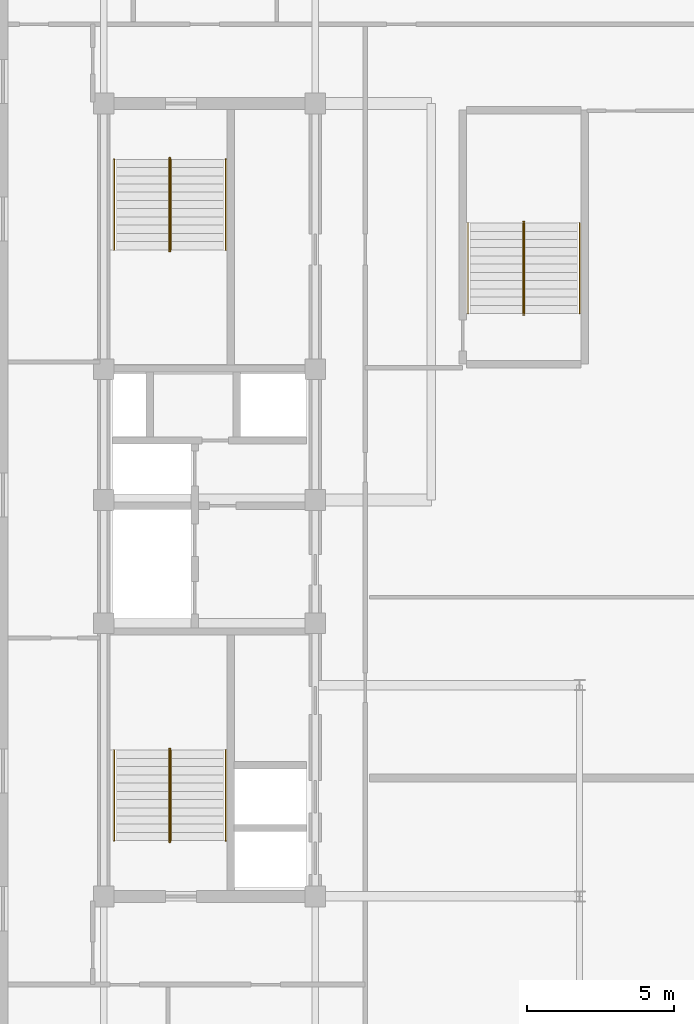
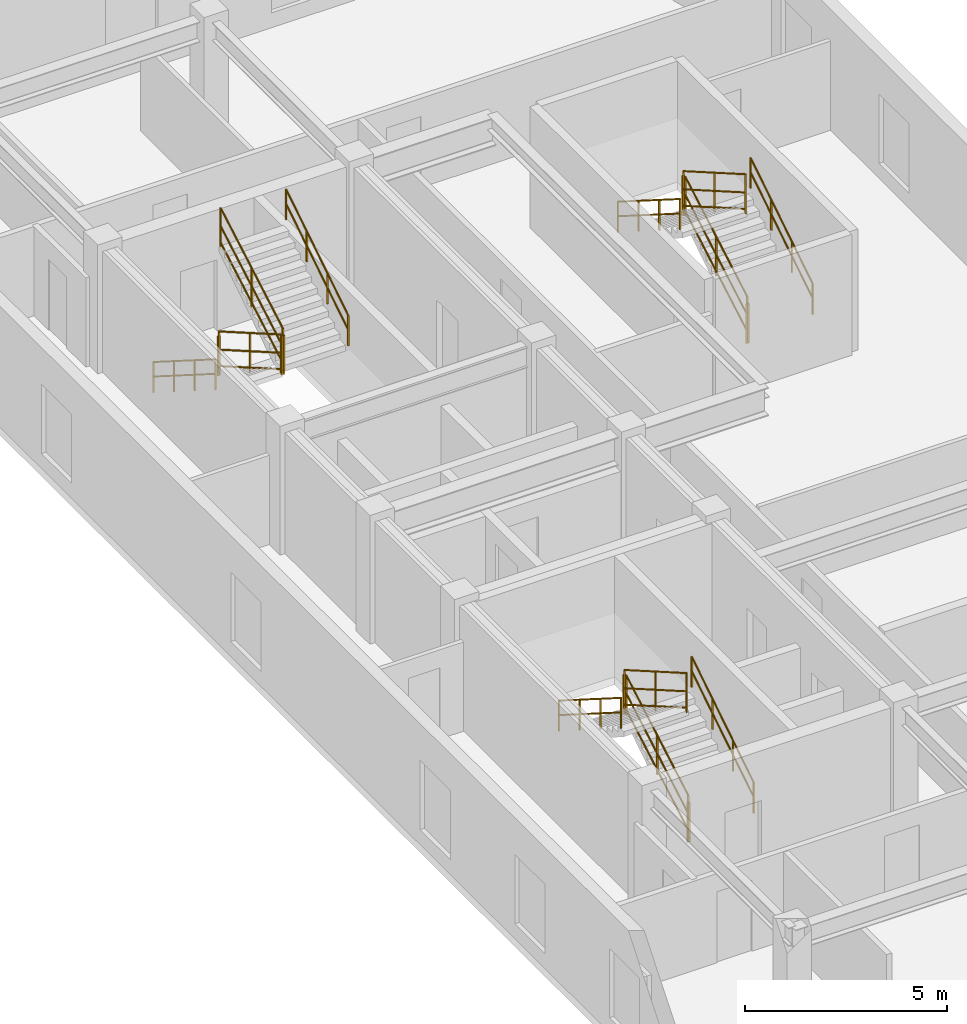
# One storey, part 5 of 5: 18 railings.
"""IFC4 building model written with IfcOpenShell, lengths in metres."""

from ifc_helpers import new_model, entity, si_unit, converted_unit, direction, frame, origin_with_axes, origin_2d_with_axis, place, context, subcontext, project, spatial, rectangle, circle, extrude, material, type_object, element, save


model = new_model("IFC4")

# Units and contexts
model_context = context("Model", 3, precision=1e-05, world=origin_with_axes(), true_north=direction((0.0, 1.0)))
body_context = subcontext(model_context, "Body", "Model", "MODEL_VIEW")
ifc_project = project(units=[si_unit("LENGTHUNIT", "METRE"), si_unit("AREAUNIT", "SQUARE_METRE"), si_unit("VOLUMEUNIT", "CUBIC_METRE"), converted_unit("PLANEANGLEUNIT", "DEGREE", entity("IfcPlaneAngleMeasure", 0.017453292519943295), si_unit("PLANEANGLEUNIT", "RADIAN"), dimensions=[0, 0, 0, 0, 0, 0, 0]), si_unit("MASSUNIT", "GRAM", prefix="KILO"), si_unit("THERMODYNAMICTEMPERATUREUNIT", "KELVIN")], contexts=[model_context])

# Site, building, storey
site_placement = place(None, origin_with_axes())
site = spatial("IfcSite", under=ifc_project, at=site_placement, CompositionType="ELEMENT")
building_placement = place(site_placement, origin_with_axes())
building = spatial("IfcBuilding", under=site, at=building_placement, Name="Varnlund Millrace Tower", CompositionType="ELEMENT")
storey_placement = place(building_placement, frame((0.0, 0.0, 291.9), z_axis=(0.0, 0.0, 1.0), x_axis=(1.0, 0.0, 0.0)))
storey = spatial("IfcBuildingStorey", under=building, at=storey_placement, Name="L72", CompositionType="ELEMENT", Elevation=291.9)

# Railings
ifc_material_1 = material(Name="Painted steel stair well balustrade guard", Category="steel")
railing_type_1 = type_object("IfcRailingType", Name="Type-StairGuard-1150", PredefinedType="GUARDRAIL", material=ifc_material_1)
railing_1_placement = place(storey_placement, frame((0.0, 0.0, -291.9), z_axis=(0.0, 0.0, 1.0), x_axis=(1.0, 0.0, 0.0)))
element("IfcRailing", 1, at=railing_1_placement, inside=storey, type_object=railing_type_1, Name="Type-StairGuard-1150", PredefinedType="GUARDRAIL", context=body_context, shape_type="SweptSolid", body=[
    extrude(circle(Radius=0.024, at=origin_2d_with_axis()), frame((13.675, 12.7, 293.227273), z_axis=(0.0, 0.866696, 0.498836), x_axis=(-1.0, 0.0, 0.0)), (0.0, 0.0, 1.0), 3.553725),
    extrude(circle(Radius=0.024, at=origin_2d_with_axis()), frame((13.675, 12.7, 292.177273), z_axis=(0.0, 0.866696, 0.498836), x_axis=(-1.0, 0.0, 0.0)), (0.0, 0.0, 1.0), 3.553725),
    extrude(circle(Radius=0.024, at=origin_2d_with_axis()), frame((13.675, 12.7, 292.675273), z_axis=(0.0, 0.866696, 0.498836), x_axis=(-1.0, 0.0, 0.0)), (0.0, 0.0, 1.0), 3.553725),
    extrude(rectangle(XDim=0.04, YDim=0.04, at=origin_2d_with_axis()), frame((13.675, 12.7, 292.037273), z_axis=(0.0, 0.0, 1.0), x_axis=(1.0, 0.0, 0.0)), (0.0, 0.0, 1.0), 1.19),
    extrude(rectangle(XDim=0.04, YDim=0.04, at=origin_2d_with_axis()), frame((13.675, 14.24, 292.923636), z_axis=(0.0, 0.0, 1.0), x_axis=(1.0, 0.0, 0.0)), (0.0, 0.0, 1.0), 1.19),
    extrude(rectangle(XDim=0.04, YDim=0.04, at=origin_2d_with_axis()), frame((13.675, 15.78, 293.81), z_axis=(0.0, 0.0, 1.0), x_axis=(1.0, 0.0, 0.0)), (0.0, 0.0, 1.0), 1.19),
])
railing_2_placement = place(storey_placement, frame((0.0, 0.0, -291.9), z_axis=(0.0, 0.0, 1.0), x_axis=(1.0, 0.0, 0.0)))
element("IfcRailing", 2, at=railing_2_placement, inside=storey, type_object=railing_type_1, Name="Type-StairGuard-1150", PredefinedType="GUARDRAIL", context=body_context, shape_type="SweptSolid", body=[
    extrude(circle(Radius=0.024, at=origin_2d_with_axis()), frame((13.625, 15.83, 295.0), z_axis=(1.0, 0.0, 0.0), x_axis=(0.0, 1.0, 0.0)), (0.0, 0.0, 1.0), 0.05),
    extrude(circle(Radius=0.024, at=origin_2d_with_axis()), frame((13.625, 15.83, 293.95), z_axis=(1.0, 0.0, 0.0), x_axis=(0.0, 1.0, 0.0)), (0.0, 0.0, 1.0), 0.05),
    extrude(circle(Radius=0.024, at=origin_2d_with_axis()), frame((13.625, 15.83, 294.448), z_axis=(1.0, 0.0, 0.0), x_axis=(0.0, 1.0, 0.0)), (0.0, 0.0, 1.0), 0.05),
    extrude(rectangle(XDim=0.04, YDim=0.04, at=origin_2d_with_axis()), frame((13.625, 15.83, 293.81), z_axis=(0.0, 0.0, 1.0), x_axis=(1.0, 0.0, 0.0)), (0.0, 0.0, 1.0), 1.19),
    extrude(rectangle(XDim=0.04, YDim=0.04, at=origin_2d_with_axis()), frame((13.675, 15.83, 293.81), z_axis=(0.0, 0.0, 1.0), x_axis=(1.0, 0.0, 0.0)), (0.0, 0.0, 1.0), 1.19),
])
railing_3_placement = place(storey_placement, frame((0.0, 0.0, -291.9), z_axis=(0.0, 0.0, 1.0), x_axis=(1.0, 0.0, 0.0)))
element("IfcRailing", 3, at=railing_3_placement, inside=storey, type_object=railing_type_1, Name="Type-StairGuard-1150", PredefinedType="GUARDRAIL", context=body_context, shape_type="SweptSolid", body=[
    extrude(circle(Radius=0.024, at=origin_2d_with_axis()), frame((13.625, 15.78, 295.177273), z_axis=(0.0, -0.866696, 0.498836), x_axis=(1.0, 0.0, 0.0)), (0.0, 0.0, 1.0), 3.553725),
    extrude(circle(Radius=0.024, at=origin_2d_with_axis()), frame((13.625, 15.78, 294.127273), z_axis=(0.0, -0.866696, 0.498836), x_axis=(1.0, 0.0, 0.0)), (0.0, 0.0, 1.0), 3.553725),
    extrude(circle(Radius=0.024, at=origin_2d_with_axis()), frame((13.625, 15.78, 294.625273), z_axis=(0.0, -0.866696, 0.498836), x_axis=(1.0, 0.0, 0.0)), (0.0, 0.0, 1.0), 3.553725),
    extrude(rectangle(XDim=0.04, YDim=0.04, at=origin_2d_with_axis()), frame((13.625, 15.78, 293.987273), z_axis=(0.0, 0.0, 1.0), x_axis=(1.0, 0.0, 0.0)), (0.0, 0.0, 1.0), 1.19),
    extrude(rectangle(XDim=0.04, YDim=0.04, at=origin_2d_with_axis()), frame((13.625, 14.24, 294.873636), z_axis=(0.0, 0.0, 1.0), x_axis=(1.0, 0.0, 0.0)), (0.0, 0.0, 1.0), 1.19),
    extrude(rectangle(XDim=0.04, YDim=0.04, at=origin_2d_with_axis()), frame((13.625, 12.7, 295.76), z_axis=(0.0, 0.0, 1.0), x_axis=(1.0, 0.0, 0.0)), (0.0, 0.0, 1.0), 1.19),
])
railing_4_placement = place(storey_placement, frame((0.0, 0.0, -291.9), z_axis=(0.0, 0.0, 1.0), x_axis=(1.0, 0.0, 0.0)))
element("IfcRailing", 4, at=railing_4_placement, inside=storey, type_object=railing_type_1, Name="Type-StairGuard-1150", PredefinedType="GUARDRAIL", context=body_context, shape_type="SweptSolid", body=[
    extrude(circle(Radius=0.024, at=origin_2d_with_axis()), frame((13.625, 12.65, 293.05), z_axis=(1.0, 0.0, 0.0), x_axis=(0.0, 1.0, 0.0)), (0.0, 0.0, 1.0), 0.05),
    extrude(circle(Radius=0.024, at=origin_2d_with_axis()), frame((13.625, 12.65, 292.0), z_axis=(1.0, 0.0, 0.0), x_axis=(0.0, 1.0, 0.0)), (0.0, 0.0, 1.0), 0.05),
    extrude(circle(Radius=0.024, at=origin_2d_with_axis()), frame((13.625, 12.65, 292.498), z_axis=(1.0, 0.0, 0.0), x_axis=(0.0, 1.0, 0.0)), (0.0, 0.0, 1.0), 0.05),
    extrude(rectangle(XDim=0.04, YDim=0.04, at=origin_2d_with_axis()), frame((13.625, 12.65, 291.86), z_axis=(0.0, 0.0, 1.0), x_axis=(1.0, 0.0, 0.0)), (0.0, 0.0, 1.0), 1.19),
    extrude(rectangle(XDim=0.04, YDim=0.04, at=origin_2d_with_axis()), frame((13.675, 12.65, 291.86), z_axis=(0.0, 0.0, 1.0), x_axis=(1.0, 0.0, 0.0)), (0.0, 0.0, 1.0), 1.19),
])
railing_5_placement = place(storey_placement, frame((0.0, 0.0, -291.9), z_axis=(0.0, 0.0, 1.0), x_axis=(1.0, 0.0, 0.0)))
element("IfcRailing", 5, at=railing_5_placement, inside=storey, type_object=railing_type_1, Name="Type-StairGuard-1150", PredefinedType="GUARDRAIL", context=body_context, shape_type="SweptSolid", body=[
    extrude(circle(Radius=0.024, at=origin_2d_with_axis()), frame((13.625, 35.9, 293.227273), z_axis=(0.0, -0.866696, 0.498836), x_axis=(1.0, 0.0, 0.0)), (0.0, 0.0, 1.0), 3.553725),
    extrude(circle(Radius=0.024, at=origin_2d_with_axis()), frame((13.625, 35.9, 292.177273), z_axis=(0.0, -0.866696, 0.498836), x_axis=(1.0, 0.0, 0.0)), (0.0, 0.0, 1.0), 3.553725),
    extrude(circle(Radius=0.024, at=origin_2d_with_axis()), frame((13.625, 35.9, 292.675273), z_axis=(0.0, -0.866696, 0.498836), x_axis=(1.0, 0.0, 0.0)), (0.0, 0.0, 1.0), 3.553725),
    extrude(rectangle(XDim=0.04, YDim=0.04, at=origin_2d_with_axis()), frame((13.625, 35.9, 292.037273), z_axis=(0.0, 0.0, 1.0), x_axis=(1.0, 0.0, 0.0)), (0.0, 0.0, 1.0), 1.19),
    extrude(rectangle(XDim=0.04, YDim=0.04, at=origin_2d_with_axis()), frame((13.625, 34.36, 292.923636), z_axis=(0.0, 0.0, 1.0), x_axis=(1.0, 0.0, 0.0)), (0.0, 0.0, 1.0), 1.19),
    extrude(rectangle(XDim=0.04, YDim=0.04, at=origin_2d_with_axis()), frame((13.625, 32.82, 293.81), z_axis=(0.0, 0.0, 1.0), x_axis=(1.0, 0.0, 0.0)), (0.0, 0.0, 1.0), 1.19),
])
railing_6_placement = place(storey_placement, frame((0.0, 0.0, -291.9), z_axis=(0.0, 0.0, 1.0), x_axis=(1.0, 0.0, 0.0)))
element("IfcRailing", 6, at=railing_6_placement, inside=storey, type_object=railing_type_1, Name="Type-StairGuard-1150", PredefinedType="GUARDRAIL", context=body_context, shape_type="SweptSolid", body=[
    extrude(circle(Radius=0.024, at=origin_2d_with_axis()), frame((13.675, 32.77, 295.0), z_axis=(-1.0, 0.0, 0.0), x_axis=(0.0, -1.0, 0.0)), (0.0, 0.0, 1.0), 0.05),
    extrude(circle(Radius=0.024, at=origin_2d_with_axis()), frame((13.675, 32.77, 293.95), z_axis=(-1.0, 0.0, 0.0), x_axis=(0.0, -1.0, 0.0)), (0.0, 0.0, 1.0), 0.05),
    extrude(circle(Radius=0.024, at=origin_2d_with_axis()), frame((13.675, 32.77, 294.448), z_axis=(-1.0, 0.0, 0.0), x_axis=(0.0, -1.0, 0.0)), (0.0, 0.0, 1.0), 0.05),
    extrude(rectangle(XDim=0.04, YDim=0.04, at=origin_2d_with_axis()), frame((13.675, 32.77, 293.81), z_axis=(0.0, 0.0, 1.0), x_axis=(1.0, 0.0, 0.0)), (0.0, 0.0, 1.0), 1.19),
    extrude(rectangle(XDim=0.04, YDim=0.04, at=origin_2d_with_axis()), frame((13.625, 32.77, 293.81), z_axis=(0.0, 0.0, 1.0), x_axis=(1.0, 0.0, 0.0)), (0.0, 0.0, 1.0), 1.19),
])
railing_7_placement = place(storey_placement, frame((0.0, 0.0, -291.9), z_axis=(0.0, 0.0, 1.0), x_axis=(1.0, 0.0, 0.0)))
element("IfcRailing", 7, at=railing_7_placement, inside=storey, type_object=railing_type_1, Name="Type-StairGuard-1150", PredefinedType="GUARDRAIL", context=body_context, shape_type="SweptSolid", body=[
    extrude(circle(Radius=0.024, at=origin_2d_with_axis()), frame((13.675, 32.82, 295.177273), z_axis=(0.0, 0.866696, 0.498836), x_axis=(-1.0, 0.0, 0.0)), (0.0, 0.0, 1.0), 3.553725),
    extrude(circle(Radius=0.024, at=origin_2d_with_axis()), frame((13.675, 32.82, 294.127273), z_axis=(0.0, 0.866696, 0.498836), x_axis=(-1.0, 0.0, 0.0)), (0.0, 0.0, 1.0), 3.553725),
    extrude(circle(Radius=0.024, at=origin_2d_with_axis()), frame((13.675, 32.82, 294.625273), z_axis=(0.0, 0.866696, 0.498836), x_axis=(-1.0, 0.0, 0.0)), (0.0, 0.0, 1.0), 3.553725),
    extrude(rectangle(XDim=0.04, YDim=0.04, at=origin_2d_with_axis()), frame((13.675, 32.82, 293.987273), z_axis=(0.0, 0.0, 1.0), x_axis=(1.0, 0.0, 0.0)), (0.0, 0.0, 1.0), 1.19),
    extrude(rectangle(XDim=0.04, YDim=0.04, at=origin_2d_with_axis()), frame((13.675, 34.36, 294.873636), z_axis=(0.0, 0.0, 1.0), x_axis=(1.0, 0.0, 0.0)), (0.0, 0.0, 1.0), 1.19),
    extrude(rectangle(XDim=0.04, YDim=0.04, at=origin_2d_with_axis()), frame((13.675, 35.9, 295.76), z_axis=(0.0, 0.0, 1.0), x_axis=(1.0, 0.0, 0.0)), (0.0, 0.0, 1.0), 1.19),
])
railing_8_placement = place(storey_placement, frame((0.0, 0.0, -291.9), z_axis=(0.0, 0.0, 1.0), x_axis=(1.0, 0.0, 0.0)))
element("IfcRailing", 8, at=railing_8_placement, inside=storey, type_object=railing_type_1, Name="Type-StairGuard-1150", PredefinedType="GUARDRAIL", context=body_context, shape_type="SweptSolid", body=[
    extrude(circle(Radius=0.024, at=origin_2d_with_axis()), frame((13.675, 35.95, 293.05), z_axis=(-1.0, 0.0, 0.0), x_axis=(0.0, -1.0, 0.0)), (0.0, 0.0, 1.0), 0.05),
    extrude(circle(Radius=0.024, at=origin_2d_with_axis()), frame((13.675, 35.95, 292.0), z_axis=(-1.0, 0.0, 0.0), x_axis=(0.0, -1.0, 0.0)), (0.0, 0.0, 1.0), 0.05),
    extrude(circle(Radius=0.024, at=origin_2d_with_axis()), frame((13.675, 35.95, 292.498), z_axis=(-1.0, 0.0, 0.0), x_axis=(0.0, -1.0, 0.0)), (0.0, 0.0, 1.0), 0.05),
    extrude(rectangle(XDim=0.04, YDim=0.04, at=origin_2d_with_axis()), frame((13.675, 35.95, 291.86), z_axis=(0.0, 0.0, 1.0), x_axis=(1.0, 0.0, 0.0)), (0.0, 0.0, 1.0), 1.19),
    extrude(rectangle(XDim=0.04, YDim=0.04, at=origin_2d_with_axis()), frame((13.625, 35.95, 291.86), z_axis=(0.0, 0.0, 1.0), x_axis=(1.0, 0.0, 0.0)), (0.0, 0.0, 1.0), 1.19),
])
railing_9_placement = place(storey_placement, frame((0.0, 0.0, -291.9), z_axis=(0.0, 0.0, 1.0), x_axis=(1.0, 0.0, 0.0)))
element("IfcRailing", 9, at=railing_9_placement, inside=storey, type_object=railing_type_1, Name="Type-StairGuard-1150", PredefinedType="GUARDRAIL", context=body_context, shape_type="SweptSolid", body=[
    extrude(circle(Radius=0.024, at=origin_2d_with_axis()), frame((25.725, 30.65, 293.227273), z_axis=(0.0, 0.866696, 0.498836), x_axis=(-1.0, 0.0, 0.0)), (0.0, 0.0, 1.0), 3.553725),
    extrude(circle(Radius=0.024, at=origin_2d_with_axis()), frame((25.725, 30.65, 292.177273), z_axis=(0.0, 0.866696, 0.498836), x_axis=(-1.0, 0.0, 0.0)), (0.0, 0.0, 1.0), 3.553725),
    extrude(circle(Radius=0.024, at=origin_2d_with_axis()), frame((25.725, 30.65, 292.675273), z_axis=(0.0, 0.866696, 0.498836), x_axis=(-1.0, 0.0, 0.0)), (0.0, 0.0, 1.0), 3.553725),
    extrude(rectangle(XDim=0.04, YDim=0.04, at=origin_2d_with_axis()), frame((25.725, 30.65, 292.037273), z_axis=(0.0, 0.0, 1.0), x_axis=(1.0, 0.0, 0.0)), (0.0, 0.0, 1.0), 1.19),
    extrude(rectangle(XDim=0.04, YDim=0.04, at=origin_2d_with_axis()), frame((25.725, 32.19, 292.923636), z_axis=(0.0, 0.0, 1.0), x_axis=(1.0, 0.0, 0.0)), (0.0, 0.0, 1.0), 1.19),
    extrude(rectangle(XDim=0.04, YDim=0.04, at=origin_2d_with_axis()), frame((25.725, 33.73, 293.81), z_axis=(0.0, 0.0, 1.0), x_axis=(1.0, 0.0, 0.0)), (0.0, 0.0, 1.0), 1.19),
])
railing_10_placement = place(storey_placement, frame((0.0, 0.0, -291.9), z_axis=(0.0, 0.0, 1.0), x_axis=(1.0, 0.0, 0.0)))
element("IfcRailing", 10, at=railing_10_placement, inside=storey, type_object=railing_type_1, Name="Type-StairGuard-1150", PredefinedType="GUARDRAIL", context=body_context, shape_type="SweptSolid", body=[
    extrude(circle(Radius=0.024, at=origin_2d_with_axis()), frame((25.675, 33.78, 295.0), z_axis=(1.0, 0.0, 0.0), x_axis=(0.0, 1.0, 0.0)), (0.0, 0.0, 1.0), 0.05),
    extrude(circle(Radius=0.024, at=origin_2d_with_axis()), frame((25.675, 33.78, 293.95), z_axis=(1.0, 0.0, 0.0), x_axis=(0.0, 1.0, 0.0)), (0.0, 0.0, 1.0), 0.05),
    extrude(circle(Radius=0.024, at=origin_2d_with_axis()), frame((25.675, 33.78, 294.448), z_axis=(1.0, 0.0, 0.0), x_axis=(0.0, 1.0, 0.0)), (0.0, 0.0, 1.0), 0.05),
    extrude(rectangle(XDim=0.04, YDim=0.04, at=origin_2d_with_axis()), frame((25.675, 33.78, 293.81), z_axis=(0.0, 0.0, 1.0), x_axis=(1.0, 0.0, 0.0)), (0.0, 0.0, 1.0), 1.19),
    extrude(rectangle(XDim=0.04, YDim=0.04, at=origin_2d_with_axis()), frame((25.725, 33.78, 293.81), z_axis=(0.0, 0.0, 1.0), x_axis=(1.0, 0.0, 0.0)), (0.0, 0.0, 1.0), 1.19),
])
railing_11_placement = place(storey_placement, frame((0.0, 0.0, -291.9), z_axis=(0.0, 0.0, 1.0), x_axis=(1.0, 0.0, 0.0)))
element("IfcRailing", 11, at=railing_11_placement, inside=storey, type_object=railing_type_1, Name="Type-StairGuard-1150", PredefinedType="GUARDRAIL", context=body_context, shape_type="SweptSolid", body=[
    extrude(circle(Radius=0.024, at=origin_2d_with_axis()), frame((25.675, 33.73, 295.177273), z_axis=(0.0, -0.866696, 0.498836), x_axis=(1.0, 0.0, 0.0)), (0.0, 0.0, 1.0), 3.553725),
    extrude(circle(Radius=0.024, at=origin_2d_with_axis()), frame((25.675, 33.73, 294.127273), z_axis=(0.0, -0.866696, 0.498836), x_axis=(1.0, 0.0, 0.0)), (0.0, 0.0, 1.0), 3.553725),
    extrude(circle(Radius=0.024, at=origin_2d_with_axis()), frame((25.675, 33.73, 294.625273), z_axis=(0.0, -0.866696, 0.498836), x_axis=(1.0, 0.0, 0.0)), (0.0, 0.0, 1.0), 3.553725),
    extrude(rectangle(XDim=0.04, YDim=0.04, at=origin_2d_with_axis()), frame((25.675, 33.73, 293.987273), z_axis=(0.0, 0.0, 1.0), x_axis=(1.0, 0.0, 0.0)), (0.0, 0.0, 1.0), 1.19),
    extrude(rectangle(XDim=0.04, YDim=0.04, at=origin_2d_with_axis()), frame((25.675, 32.19, 294.873636), z_axis=(0.0, 0.0, 1.0), x_axis=(1.0, 0.0, 0.0)), (0.0, 0.0, 1.0), 1.19),
    extrude(rectangle(XDim=0.04, YDim=0.04, at=origin_2d_with_axis()), frame((25.675, 30.65, 295.76), z_axis=(0.0, 0.0, 1.0), x_axis=(1.0, 0.0, 0.0)), (0.0, 0.0, 1.0), 1.19),
])
railing_12_placement = place(storey_placement, frame((0.0, 0.0, -291.9), z_axis=(0.0, 0.0, 1.0), x_axis=(1.0, 0.0, 0.0)))
element("IfcRailing", 12, at=railing_12_placement, inside=storey, type_object=railing_type_1, Name="Type-StairGuard-1150", PredefinedType="GUARDRAIL", context=body_context, shape_type="SweptSolid", body=[
    extrude(circle(Radius=0.024, at=origin_2d_with_axis()), frame((25.675, 30.6, 293.05), z_axis=(1.0, 0.0, 0.0), x_axis=(0.0, 1.0, 0.0)), (0.0, 0.0, 1.0), 0.05),
    extrude(circle(Radius=0.024, at=origin_2d_with_axis()), frame((25.675, 30.6, 292.0), z_axis=(1.0, 0.0, 0.0), x_axis=(0.0, 1.0, 0.0)), (0.0, 0.0, 1.0), 0.05),
    extrude(circle(Radius=0.024, at=origin_2d_with_axis()), frame((25.675, 30.6, 292.498), z_axis=(1.0, 0.0, 0.0), x_axis=(0.0, 1.0, 0.0)), (0.0, 0.0, 1.0), 0.05),
    extrude(rectangle(XDim=0.04, YDim=0.04, at=origin_2d_with_axis()), frame((25.675, 30.6, 291.86), z_axis=(0.0, 0.0, 1.0), x_axis=(1.0, 0.0, 0.0)), (0.0, 0.0, 1.0), 1.19),
    extrude(rectangle(XDim=0.04, YDim=0.04, at=origin_2d_with_axis()), frame((25.725, 30.6, 291.86), z_axis=(0.0, 0.0, 1.0), x_axis=(1.0, 0.0, 0.0)), (0.0, 0.0, 1.0), 1.19),
])
ifc_material_2 = material(Name="Brushed architectural bronze stair handrail", Category="aluminium")
railing_type_2 = type_object("IfcRailingType", Name="Type-StairHandrail-900", PredefinedType="HANDRAIL", material=ifc_material_2)
railing_13_placement = place(storey_placement, frame((0.0, 0.0, -291.9), z_axis=(0.0, 0.0, 1.0), x_axis=(1.0, 0.0, 0.0)))
element("IfcRailing", 13, at=railing_13_placement, inside=storey, type_object=railing_type_2, Name="Type-StairHandrail-900", PredefinedType="HANDRAIL", context=body_context, shape_type="SweptSolid", body=[
    extrude(circle(Radius=0.024, at=origin_2d_with_axis()), frame((15.55, 12.7, 292.956995), z_axis=(0.0, 0.844902, 0.534922), x_axis=(-1.0, 0.0, 0.0)), (0.0, 0.0, 1.0), 3.645394),
    extrude(circle(Radius=0.024, at=origin_2d_with_axis()), frame((15.55, 12.7, 292.517134), z_axis=(0.0, 0.844902, 0.534922), x_axis=(-1.0, 0.0, 0.0)), (0.0, 0.0, 1.0), 3.645394),
    extrude(rectangle(XDim=0.04, YDim=0.04, at=origin_2d_with_axis()), frame((15.55, 12.7, 292.037273), z_axis=(0.0, 0.0, 1.0), x_axis=(1.0, 0.0, 0.0)), (0.0, 0.0, 1.0), 0.919722),
    extrude(rectangle(XDim=0.04, YDim=0.04, at=origin_2d_with_axis()), frame((15.55, 13.726667, 292.687273), z_axis=(0.0, 0.0, 1.0), x_axis=(1.0, 0.0, 0.0)), (0.0, 0.0, 1.0), 0.919722),
    extrude(rectangle(XDim=0.04, YDim=0.04, at=origin_2d_with_axis()), frame((15.55, 14.753333, 293.337273), z_axis=(0.0, 0.0, 1.0), x_axis=(1.0, 0.0, 0.0)), (0.0, 0.0, 1.0), 0.919722),
    extrude(rectangle(XDim=0.04, YDim=0.04, at=origin_2d_with_axis()), frame((15.55, 15.78, 293.987273), z_axis=(0.0, 0.0, 1.0), x_axis=(1.0, 0.0, 0.0)), (0.0, 0.0, 1.0), 0.919722),
])
railing_14_placement = place(storey_placement, frame((0.0, 0.0, -291.9), z_axis=(0.0, 0.0, 1.0), x_axis=(1.0, 0.0, 0.0)))
element("IfcRailing", 14, at=railing_14_placement, inside=storey, type_object=railing_type_2, Name="Type-StairHandrail-900", PredefinedType="HANDRAIL", context=body_context, shape_type="SweptSolid", body=[
    extrude(circle(Radius=0.024, at=origin_2d_with_axis()), frame((11.75, 15.78, 294.906995), z_axis=(0.0, -0.844902, 0.534922), x_axis=(1.0, 0.0, 0.0)), (0.0, 0.0, 1.0), 3.645394),
    extrude(circle(Radius=0.024, at=origin_2d_with_axis()), frame((11.75, 15.78, 294.467134), z_axis=(0.0, -0.844902, 0.534922), x_axis=(1.0, 0.0, 0.0)), (0.0, 0.0, 1.0), 3.645394),
    extrude(rectangle(XDim=0.04, YDim=0.04, at=origin_2d_with_axis()), frame((11.75, 15.78, 293.987273), z_axis=(0.0, 0.0, 1.0), x_axis=(1.0, 0.0, 0.0)), (0.0, 0.0, 1.0), 0.919722),
    extrude(rectangle(XDim=0.04, YDim=0.04, at=origin_2d_with_axis()), frame((11.75, 14.753333, 294.637273), z_axis=(0.0, 0.0, 1.0), x_axis=(1.0, 0.0, 0.0)), (0.0, 0.0, 1.0), 0.919722),
    extrude(rectangle(XDim=0.04, YDim=0.04, at=origin_2d_with_axis()), frame((11.75, 13.726667, 295.287273), z_axis=(0.0, 0.0, 1.0), x_axis=(1.0, 0.0, 0.0)), (0.0, 0.0, 1.0), 0.919722),
    extrude(rectangle(XDim=0.04, YDim=0.04, at=origin_2d_with_axis()), frame((11.75, 12.7, 295.937273), z_axis=(0.0, 0.0, 1.0), x_axis=(1.0, 0.0, 0.0)), (0.0, 0.0, 1.0), 0.919722),
])
railing_15_placement = place(storey_placement, frame((0.0, 0.0, -291.9), z_axis=(0.0, 0.0, 1.0), x_axis=(1.0, 0.0, 0.0)))
element("IfcRailing", 15, at=railing_15_placement, inside=storey, type_object=railing_type_2, Name="Type-StairHandrail-900", PredefinedType="HANDRAIL", context=body_context, shape_type="SweptSolid", body=[
    extrude(circle(Radius=0.024, at=origin_2d_with_axis()), frame((11.75, 35.9, 292.956995), z_axis=(0.0, -0.844902, 0.534922), x_axis=(1.0, 0.0, 0.0)), (0.0, 0.0, 1.0), 3.645394),
    extrude(circle(Radius=0.024, at=origin_2d_with_axis()), frame((11.75, 35.9, 292.517134), z_axis=(0.0, -0.844902, 0.534922), x_axis=(1.0, 0.0, 0.0)), (0.0, 0.0, 1.0), 3.645394),
    extrude(rectangle(XDim=0.04, YDim=0.04, at=origin_2d_with_axis()), frame((11.75, 35.9, 292.037273), z_axis=(0.0, 0.0, 1.0), x_axis=(1.0, 0.0, 0.0)), (0.0, 0.0, 1.0), 0.919722),
    extrude(rectangle(XDim=0.04, YDim=0.04, at=origin_2d_with_axis()), frame((11.75, 34.873333, 292.687273), z_axis=(0.0, 0.0, 1.0), x_axis=(1.0, 0.0, 0.0)), (0.0, 0.0, 1.0), 0.919722),
    extrude(rectangle(XDim=0.04, YDim=0.04, at=origin_2d_with_axis()), frame((11.75, 33.846667, 293.337273), z_axis=(0.0, 0.0, 1.0), x_axis=(1.0, 0.0, 0.0)), (0.0, 0.0, 1.0), 0.919722),
    extrude(rectangle(XDim=0.04, YDim=0.04, at=origin_2d_with_axis()), frame((11.75, 32.82, 293.987273), z_axis=(0.0, 0.0, 1.0), x_axis=(1.0, 0.0, 0.0)), (0.0, 0.0, 1.0), 0.919722),
])
railing_16_placement = place(storey_placement, frame((0.0, 0.0, -291.9), z_axis=(0.0, 0.0, 1.0), x_axis=(1.0, 0.0, 0.0)))
element("IfcRailing", 16, at=railing_16_placement, inside=storey, type_object=railing_type_2, Name="Type-StairHandrail-900", PredefinedType="HANDRAIL", context=body_context, shape_type="SweptSolid", body=[
    extrude(circle(Radius=0.024, at=origin_2d_with_axis()), frame((15.55, 32.82, 294.906995), z_axis=(0.0, 0.844902, 0.534922), x_axis=(-1.0, 0.0, 0.0)), (0.0, 0.0, 1.0), 3.645394),
    extrude(circle(Radius=0.024, at=origin_2d_with_axis()), frame((15.55, 32.82, 294.467134), z_axis=(0.0, 0.844902, 0.534922), x_axis=(-1.0, 0.0, 0.0)), (0.0, 0.0, 1.0), 3.645394),
    extrude(rectangle(XDim=0.04, YDim=0.04, at=origin_2d_with_axis()), frame((15.55, 32.82, 293.987273), z_axis=(0.0, 0.0, 1.0), x_axis=(1.0, 0.0, 0.0)), (0.0, 0.0, 1.0), 0.919722),
    extrude(rectangle(XDim=0.04, YDim=0.04, at=origin_2d_with_axis()), frame((15.55, 33.846667, 294.637273), z_axis=(0.0, 0.0, 1.0), x_axis=(1.0, 0.0, 0.0)), (0.0, 0.0, 1.0), 0.919722),
    extrude(rectangle(XDim=0.04, YDim=0.04, at=origin_2d_with_axis()), frame((15.55, 34.873333, 295.287273), z_axis=(0.0, 0.0, 1.0), x_axis=(1.0, 0.0, 0.0)), (0.0, 0.0, 1.0), 0.919722),
    extrude(rectangle(XDim=0.04, YDim=0.04, at=origin_2d_with_axis()), frame((15.55, 35.9, 295.937273), z_axis=(0.0, 0.0, 1.0), x_axis=(1.0, 0.0, 0.0)), (0.0, 0.0, 1.0), 0.919722),
])
railing_17_placement = place(storey_placement, frame((0.0, 0.0, -291.9), z_axis=(0.0, 0.0, 1.0), x_axis=(1.0, 0.0, 0.0)))
element("IfcRailing", 17, at=railing_17_placement, inside=storey, type_object=railing_type_2, Name="Type-StairHandrail-900", PredefinedType="HANDRAIL", context=body_context, shape_type="SweptSolid", body=[
    extrude(circle(Radius=0.024, at=origin_2d_with_axis()), frame((27.6, 30.65, 292.956995), z_axis=(0.0, 0.844902, 0.534922), x_axis=(-1.0, 0.0, 0.0)), (0.0, 0.0, 1.0), 3.645394),
    extrude(circle(Radius=0.024, at=origin_2d_with_axis()), frame((27.6, 30.65, 292.517134), z_axis=(0.0, 0.844902, 0.534922), x_axis=(-1.0, 0.0, 0.0)), (0.0, 0.0, 1.0), 3.645394),
    extrude(rectangle(XDim=0.04, YDim=0.04, at=origin_2d_with_axis()), frame((27.6, 30.65, 292.037273), z_axis=(0.0, 0.0, 1.0), x_axis=(1.0, 0.0, 0.0)), (0.0, 0.0, 1.0), 0.919722),
    extrude(rectangle(XDim=0.04, YDim=0.04, at=origin_2d_with_axis()), frame((27.6, 31.676667, 292.687273), z_axis=(0.0, 0.0, 1.0), x_axis=(1.0, 0.0, 0.0)), (0.0, 0.0, 1.0), 0.919722),
    extrude(rectangle(XDim=0.04, YDim=0.04, at=origin_2d_with_axis()), frame((27.6, 32.703333, 293.337273), z_axis=(0.0, 0.0, 1.0), x_axis=(1.0, 0.0, 0.0)), (0.0, 0.0, 1.0), 0.919722),
    extrude(rectangle(XDim=0.04, YDim=0.04, at=origin_2d_with_axis()), frame((27.6, 33.73, 293.987273), z_axis=(0.0, 0.0, 1.0), x_axis=(1.0, 0.0, 0.0)), (0.0, 0.0, 1.0), 0.919722),
])
railing_18_placement = place(storey_placement, frame((0.0, 0.0, -291.9), z_axis=(0.0, 0.0, 1.0), x_axis=(1.0, 0.0, 0.0)))
element("IfcRailing", 18, at=railing_18_placement, inside=storey, type_object=railing_type_2, Name="Type-StairHandrail-900", PredefinedType="HANDRAIL", context=body_context, shape_type="SweptSolid", body=[
    extrude(circle(Radius=0.024, at=origin_2d_with_axis()), frame((23.8, 33.73, 294.906995), z_axis=(0.0, -0.844902, 0.534922), x_axis=(1.0, 0.0, 0.0)), (0.0, 0.0, 1.0), 3.645394),
    extrude(circle(Radius=0.024, at=origin_2d_with_axis()), frame((23.8, 33.73, 294.467134), z_axis=(0.0, -0.844902, 0.534922), x_axis=(1.0, 0.0, 0.0)), (0.0, 0.0, 1.0), 3.645394),
    extrude(rectangle(XDim=0.04, YDim=0.04, at=origin_2d_with_axis()), frame((23.8, 33.73, 293.987273), z_axis=(0.0, 0.0, 1.0), x_axis=(1.0, 0.0, 0.0)), (0.0, 0.0, 1.0), 0.919722),
    extrude(rectangle(XDim=0.04, YDim=0.04, at=origin_2d_with_axis()), frame((23.8, 32.703333, 294.637273), z_axis=(0.0, 0.0, 1.0), x_axis=(1.0, 0.0, 0.0)), (0.0, 0.0, 1.0), 0.919722),
    extrude(rectangle(XDim=0.04, YDim=0.04, at=origin_2d_with_axis()), frame((23.8, 31.676667, 295.287273), z_axis=(0.0, 0.0, 1.0), x_axis=(1.0, 0.0, 0.0)), (0.0, 0.0, 1.0), 0.919722),
    extrude(rectangle(XDim=0.04, YDim=0.04, at=origin_2d_with_axis()), frame((23.8, 30.65, 295.937273), z_axis=(0.0, 0.0, 1.0), x_axis=(1.0, 0.0, 0.0)), (0.0, 0.0, 1.0), 0.919722),
])

save(model, "model.ifc")
